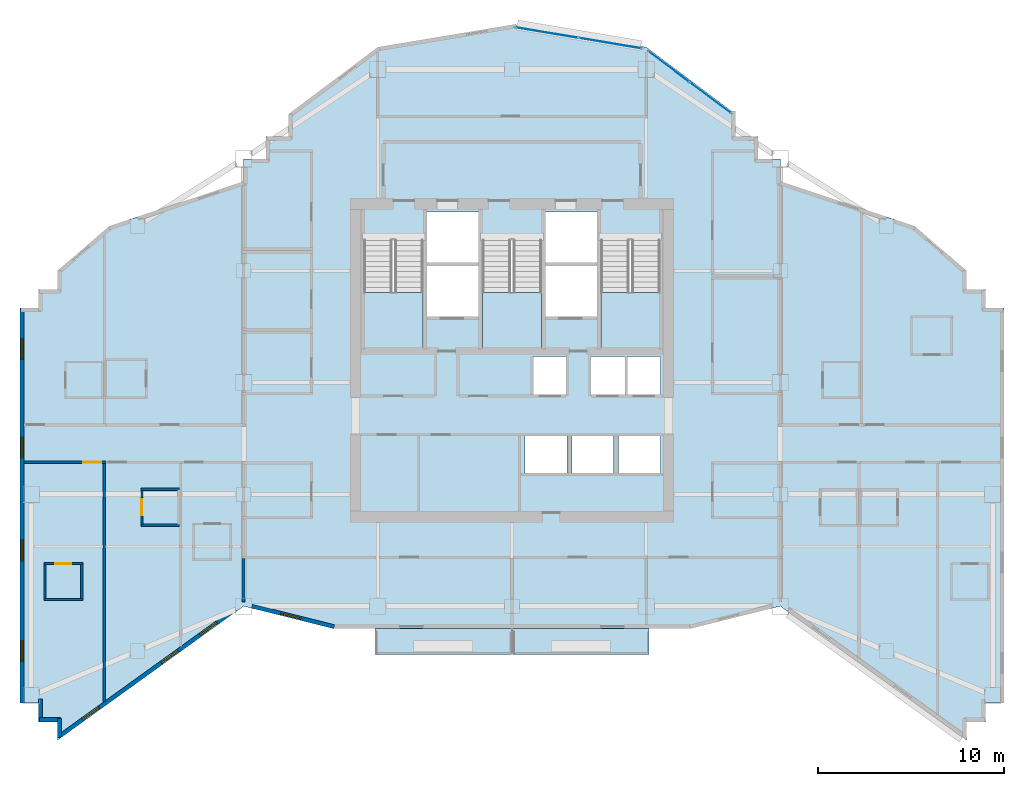
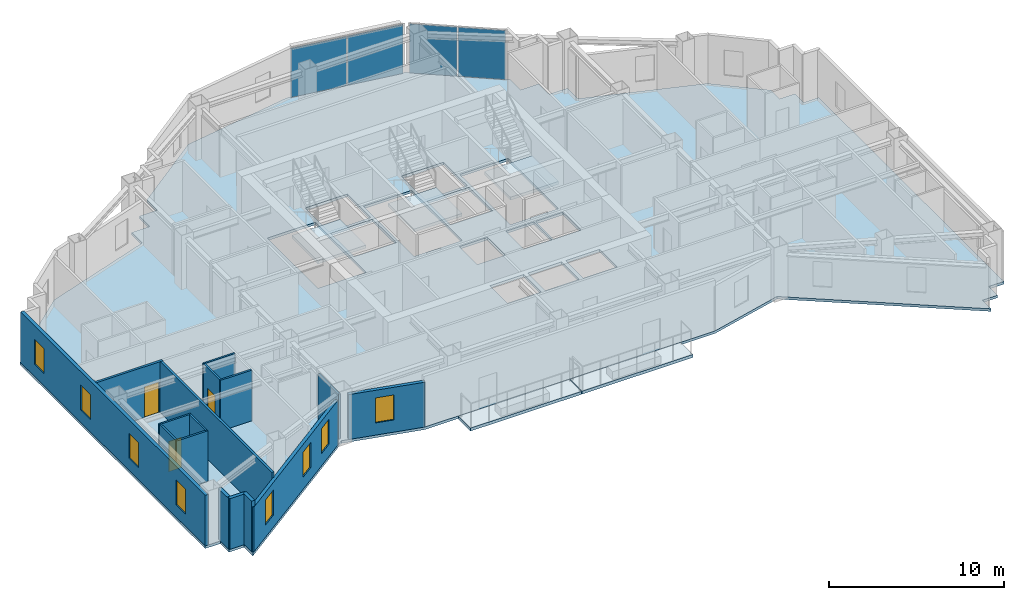
# One storey, part 4 of 12: 16 walls, 8 windows, 6 slabs, 4 plates, 3 doors, 11 openings, 5 elements without a shape of their own.
"""IFC4 building model written with IfcOpenShell, lengths in metres."""

from ifc_helpers import new_model, si_unit, direction, frame, frame_2d, origin, origin_2d, place, context, subcontext, project, spatial, polyline, rectangle, outline, extrude, material, layer, layer_set, type_object, element, fill, aggregate, save


model = new_model("IFC4")

# Units and contexts
model_context = context("Model", 3, precision=1e-05, world=origin(), true_north=direction((0.0, 1.0)))
body_context = subcontext(model_context, "Body", "Model", "MODEL_VIEW")
ifc_project = project(units=[si_unit("LENGTHUNIT", "METRE"), si_unit("AREAUNIT", "SQUARE_METRE"), si_unit("VOLUMEUNIT", "CUBIC_METRE"), si_unit("PLANEANGLEUNIT", "RADIAN"), si_unit("MASSUNIT", "GRAM", prefix="KILO")], contexts=[model_context])

# Site, building, storey
site_placement = place(None, origin())
site = spatial("IfcSite", under=ifc_project, at=site_placement, CompositionType="ELEMENT")
building_placement = place(site_placement, origin())
building = spatial("IfcBuilding", under=site, at=building_placement, Name="Haolan Belvedere Tower", CompositionType="ELEMENT")
storey_placement = place(building_placement, frame((0.0, 0.0, 203.199951171875)))
storey = spatial("IfcBuildingStorey", under=building, at=storey_placement, Name="L51", CompositionType="ELEMENT", Elevation=203.199951171875)

# Curtain wall, plates
ifc_material_1 = material(Name="Anodised champagne-silver aluminium 6063-T6 and Low-E glass", Category="aluminium")
ifc_layer_1 = layer(ifc_material_1, 0.14990234375, Name="Anodised champagne-silver aluminium 6063-T6 and Low-E glass")
ifc_layer_set_1 = layer_set([ifc_layer_1], Name="Anodised champagne-silver aluminium 6063-T6 and Low-E glass")
curtain_wall_type = type_object("IfcCurtainWallType", Name="CW-SYS-04", PredefinedType="NOTDEFINED", material=ifc_layer_set_1)
curtain_wall_1_placement = place(storey_placement, origin())
curtain_wall_1 = element("IfcCurtainWall", 1, at=curtain_wall_1_placement, inside=storey, type_object=curtain_wall_type, Name="L51 CW-SYS-04 ribbon curtain wall 20.1", PredefinedType="NOTDEFINED")
ifc_material_2 = material(Name="Double silver Low-E laminated insulating glass", Category="glass")
ifc_layer_2 = layer(ifc_material_2, 0.02392578125, Name="Double silver Low-E laminated insulating glass")
ifc_layer_set_2 = layer_set([ifc_layer_2], Name="Double silver Low-E laminated insulating glass")
plate_type = type_object("IfcPlateType", Name="CW-SYS-04-PNL", PredefinedType="CURTAIN_PANEL", material=ifc_layer_set_2)
plate_1_placement = place(storey_placement, frame((49.0390625, 48.883056640625, 0.052001953125), z_axis=(0.0, 0.0, 1.0), x_axis=(-0.799997871638, 0.600002837806, 0.0)))
plate_1 = element("IfcPlate", 2, at=plate_1_placement, type_object=plate_type, Name="CW-04 panel 1.1", PredefinedType="CURTAIN_PANEL", context=body_context, shape_type="SweptSolid", body=[
    extrude(rectangle(XDim=2.735107421875, YDim=0.02392578125, at=origin_2d()), origin(), (0.0, 0.0, 1.0), 3.43603515625),
])
plate_2_placement = place(storey_placement, frame((46.806396484375, 50.557861328125, 0.052001953125), z_axis=(0.0, 0.0, 1.0), x_axis=(-0.799997871638, 0.600002837806, 0.0)))
plate_2 = element("IfcPlate", 3, at=plate_2_placement, type_object=plate_type, Name="CW-04 panel 2.1", PredefinedType="CURTAIN_PANEL", context=body_context, shape_type="SweptSolid", body=[
    extrude(rectangle(XDim=2.735107421875, YDim=0.02392578125, at=origin_2d()), origin(), (0.0, 0.0, 1.0), 3.43603515625),
])
aggregate(curtain_wall_1, [plate_1, plate_2])

curtain_wall_2_placement = place(storey_placement, origin())
curtain_wall_2 = element("IfcCurtainWall", 4, at=curtain_wall_2_placement, inside=storey, type_object=curtain_wall_type, Name="L51 CW-SYS-04 ribbon curtain wall 21.1", PredefinedType="NOTDEFINED")
plate_3_placement = place(storey_placement, frame((43.683837890625, 51.807861328125, 0.052001953125), z_axis=(0.0, 0.0, 1.0), x_axis=(-0.98639276122, 0.164405962825, 0.0)))
plate_3 = element("IfcPlate", 5, at=plate_3_placement, type_object=plate_type, Name="CW-04 panel 1.1", PredefinedType="CURTAIN_PANEL", context=body_context, shape_type="SweptSolid", body=[
    extrude(rectangle(XDim=3.403076171875, YDim=0.02392578125, at=origin_2d()), origin(), (0.0, 0.0, 1.0), 3.43603515625),
])
plate_4_placement = place(storey_placement, frame((40.271728515625, 52.37646484375, 0.052001953125), z_axis=(0.0, 0.0, 1.0), x_axis=(-0.98639276122, 0.164405962825, 0.0)))
plate_4 = element("IfcPlate", 6, at=plate_4_placement, type_object=plate_type, Name="CW-04 panel 2.1", PredefinedType="CURTAIN_PANEL", context=body_context, shape_type="SweptSolid", body=[
    extrude(rectangle(XDim=3.403076171875, YDim=0.02392578125, at=origin_2d()), origin(), (0.0, 0.0, 1.0), 3.43603515625),
])
aggregate(curtain_wall_2, [plate_3, plate_4])

# Slabs
ifc_material_3 = material(Name="Concrete C40/50", Category="concrete")
ifc_layer_3 = layer(ifc_material_3, 0.2099609375, Name="Concrete C40/50")
ifc_layer_set_3 = layer_set([ifc_layer_3], Name="Concrete C40/50")
slab_type_1 = type_object("IfcSlabType", Name="SL-BAL-210", PredefinedType="FLOOR", material=ifc_layer_set_3)
slab_1_placement = place(storey_placement, frame((0.0, 0.0, -0.22998046875)))
element("IfcSlab", 7, at=slab_1_placement, inside=storey, type_object=slab_type_1, Name="L51 structural tree-planter balcony slab BAL-L51-S1", PredefinedType="FLOOR", context=body_context, shape_type="SweptSolid", body=[
    extrude(outline(polyline([(31.050048828125, 19.02001953125), (38.3798828125, 19.02001953125), (38.3798828125, 20.39990234375), (31.050048828125, 20.39990234375), (31.050048828125, 19.02001953125)])), origin(), (0.0, 0.0, 1.0), 0.2099609375),
])
slab_2_placement = place(storey_placement, frame((0.0, 0.0, -0.22998046875)))
element("IfcSlab", 8, at=slab_2_placement, inside=storey, type_object=slab_type_1, Name="L51 structural tree-planter balcony slab BAL-L51-S2", PredefinedType="FLOOR", context=body_context, shape_type="SweptSolid", body=[
    extrude(outline(polyline([(38.419921875, 19.02001953125), (45.75, 19.02001953125), (45.75, 20.39990234375), (38.419921875, 20.39990234375), (38.419921875, 19.02001953125)])), origin(), (0.0, 0.0, 1.0), 0.2099609375),
])
ifc_layer_4 = layer(ifc_material_3, 0.179931640625, Name="Concrete C40/50")
ifc_layer_set_4 = layer_set([ifc_layer_4], Name="Concrete C40/50")
slab_type_2 = type_object("IfcSlabType", Name="SL-FLR-180", PredefinedType="FLOOR", material=ifc_layer_set_4)
slab_3_placement = place(storey_placement, frame((0.0, 0.0, -0.179931640625)))
element("IfcSlab", 9, at=slab_3_placement, inside=storey, type_object=slab_type_2, Name="L51 structural floor slab", PredefinedType="FLOOR", context=body_context, shape_type="SweptSolid", body=[
    extrude(outline(polyline([(24.0, 21.60009765625), (28.800048828125, 20.39990234375), (48.0, 20.39990234375), (52.800048828125, 21.60009765625), (62.800048828125, 14.39990234375), (62.800048828125, 15.39990234375), (63.800048828125, 15.39990234375), (63.800048828125, 16.39990234375), (64.800048828125, 16.39990234375), (64.800048828125, 37.60009765625), (63.800048828125, 37.60009765625), (63.800048828125, 38.60009765625), (62.800048828125, 38.60009765625), (62.800048828125, 39.60009765625), (60.0, 42.0), (52.800048828125, 44.39990234375), (52.800048828125, 45.60009765625), (51.60009765625, 45.60009765625), (51.60009765625, 46.800048828125), (50.39990234375, 46.800048828125), (50.39990234375, 48.0), (45.60009765625, 51.60009765625), (38.39990234375, 52.800048828125), (31.199951171875, 51.60009765625), (26.39990234375, 48.0), (26.39990234375, 46.800048828125), (25.199951171875, 46.800048828125), (25.199951171875, 45.60009765625), (24.0, 45.60009765625), (24.0, 44.39990234375), (16.800048828125, 42.0), (14.0, 39.60009765625), (14.0, 38.60009765625), (13.0, 38.60009765625), (13.0, 37.60009765625), (12.0, 37.60009765625), (12.0, 16.800048828125), (12.0, 16.39990234375), (13.0, 16.39990234375), (13.0, 15.39990234375), (14.0, 15.39990234375), (14.0, 14.39990234375), (24.0, 21.60009765625)]), holes=[polyline([(30.449951171875, 41.22998046875), (30.449951171875, 35.449951171875), (33.6298828125, 35.449951171875), (33.6298828125, 41.22998046875), (30.449951171875, 41.22998046875)]), polyline([(36.81005859375, 41.22998046875), (36.81005859375, 35.449951171875), (39.989990234375, 35.449951171875), (39.989990234375, 41.22998046875), (36.81005859375, 41.22998046875)]), polyline([(43.169921875, 41.22998046875), (43.169921875, 35.449951171875), (46.35009765625, 35.449951171875), (46.35009765625, 41.22998046875), (43.169921875, 41.22998046875)]), polyline([(33.830078125, 40.050048828125), (36.610107421875, 40.050048828125), (36.610107421875, 42.75), (33.830078125, 42.75), (33.830078125, 40.050048828125)]), polyline([(33.830078125, 37.14990234375), (36.610107421875, 37.14990234375), (36.610107421875, 39.85009765625), (33.830078125, 39.85009765625), (33.830078125, 37.14990234375)]), polyline([(40.18994140625, 40.050048828125), (42.969970703125, 40.050048828125), (42.969970703125, 42.75), (40.18994140625, 42.75), (40.18994140625, 40.050048828125)]), polyline([(40.18994140625, 37.14990234375), (42.969970703125, 37.14990234375), (42.969970703125, 39.85009765625), (40.18994140625, 39.85009765625), (40.18994140625, 37.14990234375)]), polyline([(39.5400390625, 32.949951171875), (41.389892578125, 32.949951171875), (41.389892578125, 35.0), (39.5400390625, 35.0), (39.5400390625, 32.949951171875)]), polyline([(42.6201171875, 32.949951171875), (44.469970703125, 32.949951171875), (44.469970703125, 35.0), (42.6201171875, 35.0), (42.6201171875, 32.949951171875)]), polyline([(44.580078125, 32.949951171875), (46.3798828125, 32.949951171875), (46.3798828125, 35.0), (44.580078125, 35.0), (44.580078125, 32.949951171875)]), polyline([(39.10009765625, 28.75), (41.340087890625, 28.75), (41.340087890625, 30.75), (39.10009765625, 30.75), (39.10009765625, 28.75)]), polyline([(41.610107421875, 28.75), (43.85009765625, 28.75), (43.85009765625, 30.75), (41.610107421875, 30.75), (41.610107421875, 28.75)]), polyline([(44.1201171875, 28.75), (46.360107421875, 28.75), (46.360107421875, 30.75), (44.1201171875, 30.75), (44.1201171875, 28.75)])]), origin(), (0.0, 0.0, 1.0), 0.179931640625),
])

# Stair, slab
stair_type = type_object("IfcStairType", Name="STR-DL-22R-173", PredefinedType="HALF_TURN_STAIR", material=ifc_material_3)
stair_1_placement = place(storey_placement, origin())
stair_1 = element("IfcStair", 10, at=stair_1_placement, inside=storey, type_object=stair_type, Name="L51 Smokeproof Core Exit Stair ST1", PredefinedType="HALF_TURN_STAIR")
ifc_layer_5 = layer(ifc_material_3, 0.199951171875, Name="Concrete C40/50")
ifc_layer_set_5 = layer_set([ifc_layer_5], Name="Concrete C40/50")
slab_type_3 = type_object("IfcSlabType", Name="SL-LAND-200", PredefinedType="LANDING", material=ifc_layer_set_5)
slab_4_placement = place(storey_placement, frame((0.0, 0.0, 1.699951171875)))
slab_4 = element("IfcSlab", 11, at=slab_4_placement, type_object=slab_type_3, Name="ST1 landing 1", PredefinedType="LANDING", context=body_context, shape_type="SweptSolid", body=[
    extrude(outline(polyline([(30.449951171875, 38.429931640625), (30.449951171875, 35.449951171875), (33.6298828125, 35.449951171875), (33.6298828125, 38.429931640625), (30.449951171875, 38.429931640625)])), origin(), (0.0, 0.0, 1.0), 0.2001953125),
])
aggregate(stair_1, [slab_4])

stair_2_placement = place(storey_placement, origin())
stair_2 = element("IfcStair", 12, at=stair_2_placement, inside=storey, type_object=stair_type, Name="L51 Smokeproof Core Exit Stair ST3", PredefinedType="HALF_TURN_STAIR")
slab_5_placement = place(storey_placement, frame((0.0, 0.0, 1.699951171875)))
slab_5 = element("IfcSlab", 13, at=slab_5_placement, type_object=slab_type_3, Name="ST3 landing 1", PredefinedType="LANDING", context=body_context, shape_type="SweptSolid", body=[
    extrude(outline(polyline([(36.81005859375, 38.429931640625), (36.81005859375, 35.449951171875), (39.989990234375, 35.449951171875), (39.989990234375, 38.429931640625), (36.81005859375, 38.429931640625)])), origin(), (0.0, 0.0, 1.0), 0.2001953125),
])
aggregate(stair_2, [slab_5])

stair_3_placement = place(storey_placement, origin())
stair_3 = element("IfcStair", 14, at=stair_3_placement, inside=storey, type_object=stair_type, Name="L51 Smokeproof Core Exit Stair ST2", PredefinedType="HALF_TURN_STAIR")
slab_6_placement = place(storey_placement, frame((0.0, 0.0, 1.699951171875)))
slab_6 = element("IfcSlab", 15, at=slab_6_placement, type_object=slab_type_3, Name="ST2 landing 1", PredefinedType="LANDING", context=body_context, shape_type="SweptSolid", body=[
    extrude(outline(polyline([(43.169921875, 38.429931640625), (43.169921875, 35.449951171875), (46.35009765625, 35.449951171875), (46.35009765625, 38.429931640625), (43.169921875, 38.429931640625)])), origin(), (0.0, 0.0, 1.0), 0.2001953125),
])
aggregate(stair_3, [slab_6])

# Wall, openings, windows
ifc_material_4 = material(Name="Precast concrete C40/50", Category="concrete")
ifc_layer_6 = layer(ifc_material_4, 0.219970703125, Name="Precast concrete C40/50")
ifc_layer_set_6 = layer_set([ifc_layer_6], Name="Precast concrete C40/50")
wall_type_1 = type_object("IfcWallType", Name="WL-EXT-220", PredefinedType="SOLIDWALL", material=ifc_layer_set_6)
wall_1_placement = place(storey_placement, frame((12.110107421875, 37.544921875, 0.0), z_axis=(0.0, 0.0, 1.0), x_axis=(0.0, -1.0, 0.0)))
wall_1 = element("IfcWall", 16, at=wall_1_placement, inside=storey, type_object=wall_type_1, Name="L51 pale-metal exterior spandrel wall 35.1", PredefinedType="SOLIDWALL", context=body_context, shape_type="SweptSolid", body=[
    extrude(rectangle(XDim=21.14501953125, YDim=0.219970703125, at=frame_2d((10.572509765625, 0.0))), origin(), (0.0, 0.0, 1.0), 3.5400390625),
])
opening_1_placement = place(wall_1_placement, frame((1.60009765625, 0.0, 0.85009765625)))
opening_1 = element("IfcOpeningElement", 17, at=opening_1_placement, cuts=wall_1, Name="Opening W-03", PredefinedType="OPENING", context=body_context, shape_type="SweptSolid", body=[
    extrude(rectangle(XDim=1.10009765625, YDim=1.75, at=frame_2d((0.550048828125, 0.875))), frame((0.0, 0.119873046875, 0.0), z_axis=(0.0, -1.0, 0.0), x_axis=(1.0, 0.0, 0.0)), (0.0, 0.0, 1.0), 0.239990234375),
])
opening_2_placement = place(wall_1_placement, frame((6.889892578125, 0.0, 0.85009765625)))
opening_2 = element("IfcOpeningElement", 18, at=opening_2_placement, cuts=wall_1, Name="Opening W-03", PredefinedType="OPENING", context=body_context, shape_type="SweptSolid", body=[
    extrude(rectangle(XDim=1.10009765625, YDim=1.75, at=frame_2d((0.550048828125, 0.875))), frame((0.0, 0.119873046875, 0.0), z_axis=(0.0, -1.0, 0.0), x_axis=(1.0, 0.0, 0.0)), (0.0, 0.0, 1.0), 0.239990234375),
])
opening_3_placement = place(wall_1_placement, frame((12.39990234375, 0.0, 0.85009765625)))
opening_3 = element("IfcOpeningElement", 19, at=opening_3_placement, cuts=wall_1, Name="Opening W-03", PredefinedType="OPENING", context=body_context, shape_type="SweptSolid", body=[
    extrude(rectangle(XDim=1.10009765625, YDim=1.75, at=frame_2d((0.550048828125, 0.875))), frame((0.0, 0.119873046875, 0.0), z_axis=(0.0, -1.0, 0.0), x_axis=(1.0, 0.0, 0.0)), (0.0, 0.0, 1.0), 0.239990234375),
])
opening_4_placement = place(wall_1_placement, frame((17.800048828125, 0.0, 0.85009765625)))
opening_4 = element("IfcOpeningElement", 20, at=opening_4_placement, cuts=wall_1, Name="Opening W-03", PredefinedType="OPENING", context=body_context, shape_type="SweptSolid", body=[
    extrude(rectangle(XDim=1.10009765625, YDim=1.75, at=frame_2d((0.550048828125, 0.875))), frame((0.0, 0.119873046875, 0.0), z_axis=(0.0, -1.0, 0.0), x_axis=(1.0, 0.0, 0.0)), (0.0, 0.0, 1.0), 0.239990234375),
])
ifc_material_5 = material(Name="Anodised aluminium 6063-T6 and Low-E glass", Category="aluminium")
window_type = type_object("IfcWindowType", Name="WN-DECO-Z3", PartitioningType="SINGLE_PANEL", PredefinedType="WINDOW", material=ifc_material_5)
window_1_placement = place(opening_1_placement, origin())
window_1 = element("IfcWindow", 21, at=window_1_placement, inside=storey, type_object=window_type, Name="L51 Art Deco chevron window 1", OverallHeight=1.75, OverallWidth=1.10009765625, PartitioningType="SINGLE_PANEL", PredefinedType="WINDOW", context=body_context, shape_type="SweptSolid", body=[
    extrude(rectangle(XDim=1.10009765625, YDim=1.75, at=frame_2d((0.550048828125, 0.875))), frame((0.0, 0.030029296875, 0.0), z_axis=(0.0, -1.0, 0.0), x_axis=(1.0, 0.0, 0.0)), (0.0, 0.0, 1.0), 0.06005859375),
])
fill(opening_1, window_1)
window_2_placement = place(opening_2_placement, origin())
window_2 = element("IfcWindow", 22, at=window_2_placement, inside=storey, type_object=window_type, Name="L51 Art Deco chevron window 2", OverallHeight=1.75, OverallWidth=1.10009765625, PartitioningType="SINGLE_PANEL", PredefinedType="WINDOW", context=body_context, shape_type="SweptSolid", body=[
    extrude(rectangle(XDim=1.10009765625, YDim=1.75, at=frame_2d((0.550048828125, 0.875))), frame((0.0, 0.030029296875, 0.0), z_axis=(0.0, -1.0, 0.0), x_axis=(1.0, 0.0, 0.0)), (0.0, 0.0, 1.0), 0.06005859375),
])
fill(opening_2, window_2)
window_3_placement = place(opening_3_placement, origin())
window_3 = element("IfcWindow", 23, at=window_3_placement, inside=storey, type_object=window_type, Name="L51 Art Deco chevron window 3", OverallHeight=1.75, OverallWidth=1.10009765625, PartitioningType="SINGLE_PANEL", PredefinedType="WINDOW", context=body_context, shape_type="SweptSolid", body=[
    extrude(rectangle(XDim=1.10009765625, YDim=1.75, at=frame_2d((0.550048828125, 0.875))), frame((0.0, 0.030029296875, 0.0), z_axis=(0.0, -1.0, 0.0), x_axis=(1.0, 0.0, 0.0)), (0.0, 0.0, 1.0), 0.06005859375),
])
fill(opening_3, window_3)
window_4_placement = place(opening_4_placement, origin())
window_4 = element("IfcWindow", 24, at=window_4_placement, inside=storey, type_object=window_type, Name="L51 Art Deco chevron window 4", OverallHeight=1.75, OverallWidth=1.10009765625, PartitioningType="SINGLE_PANEL", PredefinedType="WINDOW", context=body_context, shape_type="SweptSolid", body=[
    extrude(rectangle(XDim=1.10009765625, YDim=1.75, at=frame_2d((0.550048828125, 0.875))), frame((0.0, 0.030029296875, 0.0), z_axis=(0.0, -1.0, 0.0), x_axis=(1.0, 0.0, 0.0)), (0.0, 0.0, 1.0), 0.06005859375),
])
fill(opening_4, window_4)

# Walls
wall_2_placement = place(storey_placement, frame((13.110107421875, 16.6201171875, 0.0), z_axis=(0.0, 0.0, 1.0), x_axis=(0.0, -1.0, 0.0)))
element("IfcWall", 25, at=wall_2_placement, inside=storey, type_object=wall_type_1, Name="L51 pale-metal exterior spandrel wall 37.1", PredefinedType="SOLIDWALL", context=body_context, shape_type="SweptSolid", body=[
    extrude(rectangle(XDim=1.1650390625, YDim=0.219970703125, at=frame_2d((0.58251953125, 0.0))), origin(), (0.0, 0.0, 1.0), 3.5400390625),
])
wall_3_placement = place(storey_placement, frame((13.054931640625, 15.510009765625, 0.0), z_axis=(0.0, 0.0, 1.0), x_axis=(1.0, 0.0, 0.0)))
element("IfcWall", 26, at=wall_3_placement, inside=storey, type_object=wall_type_1, Name="L51 pale-metal exterior spandrel wall 38.1", PredefinedType="SOLIDWALL", context=body_context, shape_type="SweptSolid", body=[
    extrude(rectangle(XDim=1.110107421875, YDim=0.219970703125, at=frame_2d((0.55517578125, 0.0))), origin(), (0.0, 0.0, 1.0), 3.5400390625),
])
wall_4_placement = place(storey_placement, frame((14.110107421875, 15.56494140625, 0.0), z_axis=(0.0, 0.0, 1.0), x_axis=(0.0, -1.0, 0.0)))
element("IfcWall", 27, at=wall_4_placement, inside=storey, type_object=wall_type_1, Name="L51 pale-metal exterior spandrel wall 39.1", PredefinedType="SOLIDWALL", context=body_context, shape_type="SweptSolid", body=[
    extrude(rectangle(XDim=1.005126953125, YDim=0.219970703125, at=frame_2d((0.50244140625, 0.0))), origin(), (0.0, 0.0, 1.0), 3.5400390625),
])

# Wall, openings, windows
wall_5_placement = place(storey_placement, frame((14.0654296875, 14.58251953125, 0.0), z_axis=(0.0, 0.0, 1.0), x_axis=(0.811534737332, 0.58430417601, 0.0)))
wall_5 = element("IfcWall", 28, at=wall_5_placement, inside=storey, type_object=wall_type_1, Name="L51 pale-metal exterior spandrel wall 40.1", PredefinedType="SOLIDWALL", context=body_context, shape_type="SweptSolid", body=[
    extrude(rectangle(XDim=11.697265625, YDim=0.219970703125, at=frame_2d((5.8486328125, 0.0))), origin(), (0.0, 0.0, 1.0), 3.135009765625),
])
opening_5_placement = place(wall_5_placement, frame((1.60009765625, 0.0, 0.85009765625)))
opening_5 = element("IfcOpeningElement", 29, at=opening_5_placement, cuts=wall_5, Name="Opening W-03", PredefinedType="OPENING", context=body_context, shape_type="SweptSolid", body=[
    extrude(rectangle(XDim=1.10009765625, YDim=1.75, at=frame_2d((0.550048828125, 0.875))), frame((0.0, 0.119873046875, 0.0), z_axis=(0.0, -1.0, 0.0), x_axis=(1.0, 0.0, 0.0)), (0.0, 0.0, 1.0), 0.239990234375),
])
opening_6_placement = place(wall_5_placement, frame((6.815185546875, 0.0, 0.85009765625)))
opening_6 = element("IfcOpeningElement", 30, at=opening_6_placement, cuts=wall_5, Name="Opening W-03", PredefinedType="OPENING", context=body_context, shape_type="SweptSolid", body=[
    extrude(rectangle(XDim=1.10009765625, YDim=1.75, at=frame_2d((0.550048828125, 0.875))), frame((0.0, 0.119873046875, 0.0), z_axis=(0.0, -1.0, 0.0), x_axis=(1.0, 0.0, 0.0)), (0.0, 0.0, 1.0), 0.239990234375),
])
opening_7_placement = place(wall_5_placement, frame((9.38037109375, 0.0, 0.85009765625)))
opening_7 = element("IfcOpeningElement", 31, at=opening_7_placement, cuts=wall_5, Name="Opening W-03", PredefinedType="OPENING", context=body_context, shape_type="SweptSolid", body=[
    extrude(rectangle(XDim=1.10009765625, YDim=1.75, at=frame_2d((0.550048828125, 0.875))), frame((0.0, 0.119873046875, 0.0), z_axis=(0.0, -1.0, 0.0), x_axis=(1.0, 0.0, 0.0)), (0.0, 0.0, 1.0), 0.239990234375),
])
window_5_placement = place(opening_5_placement, origin())
window_5 = element("IfcWindow", 32, at=window_5_placement, inside=storey, type_object=window_type, Name="L51 Art Deco chevron window 1", OverallHeight=1.75, OverallWidth=1.10009765625, PartitioningType="SINGLE_PANEL", PredefinedType="WINDOW", context=body_context, shape_type="SweptSolid", body=[
    extrude(rectangle(XDim=1.10009765625, YDim=1.75, at=frame_2d((0.550048828125, 0.875))), frame((0.0, 0.030029296875, 0.0), z_axis=(0.0, -1.0, 0.0), x_axis=(1.0, 0.0, 0.0)), (0.0, 0.0, 1.0), 0.06005859375),
])
fill(opening_5, window_5)
window_6_placement = place(opening_6_placement, origin())
window_6 = element("IfcWindow", 33, at=window_6_placement, inside=storey, type_object=window_type, Name="L51 Art Deco chevron window 2", OverallHeight=1.75, OverallWidth=1.10009765625, PartitioningType="SINGLE_PANEL", PredefinedType="WINDOW", context=body_context, shape_type="SweptSolid", body=[
    extrude(rectangle(XDim=1.10009765625, YDim=1.75, at=frame_2d((0.550048828125, 0.875))), frame((0.0, 0.030029296875, 0.0), z_axis=(0.0, -1.0, 0.0), x_axis=(1.0, 0.0, 0.0)), (0.0, 0.0, 1.0), 0.06005859375),
])
fill(opening_6, window_6)
window_7_placement = place(opening_7_placement, origin())
window_7 = element("IfcWindow", 34, at=window_7_placement, inside=storey, type_object=window_type, Name="L51 Art Deco guestroom window 1", OverallHeight=1.75, OverallWidth=1.10009765625, PartitioningType="SINGLE_PANEL", PredefinedType="WINDOW", context=body_context, shape_type="SweptSolid", body=[
    extrude(rectangle(XDim=1.10009765625, YDim=1.75, at=frame_2d((0.550048828125, 0.875))), frame((0.0, 0.030029296875, 0.0), z_axis=(0.0, -1.0, 0.0), x_axis=(1.0, 0.0, 0.0)), (0.0, 0.0, 1.0), 0.06005859375),
])
fill(opening_7, window_7)

# Wall, opening, window
wall_6_placement = place(storey_placement, frame((24.44189453125, 21.602783203125, 0.0), z_axis=(0.0, 0.0, 1.0), x_axis=(0.970145648609, -0.242523030833, 0.0)))
wall_6 = element("IfcWall", 35, at=wall_6_placement, inside=storey, type_object=wall_type_1, Name="L51 pale-metal exterior spandrel wall 41.1", PredefinedType="SOLIDWALL", context=body_context, shape_type="SweptSolid", body=[
    extrude(rectangle(XDim=4.561279296875, YDim=0.219970703125, at=frame_2d((2.28076171875, 0.0))), origin(), (0.0, 0.0, 1.0), 3.135009765625),
])
opening_8_placement = place(wall_6_placement, frame((1.60009765625, 0.0, 0.85009765625)))
opening_8 = element("IfcOpeningElement", 36, at=opening_8_placement, cuts=wall_6, Name="Opening W-03", PredefinedType="OPENING", context=body_context, shape_type="SweptSolid", body=[
    extrude(rectangle(XDim=1.10009765625, YDim=1.75, at=frame_2d((0.550048828125, 0.875))), frame((0.0, 0.119873046875, 0.0), z_axis=(0.0, -1.0, 0.0), x_axis=(1.0, 0.0, 0.0)), (0.0, 0.0, 1.0), 0.239990234375),
])
window_8_placement = place(opening_8_placement, origin())
window_8 = element("IfcWindow", 37, at=window_8_placement, inside=storey, type_object=window_type, Name="L51 Art Deco chevron window 1", OverallHeight=1.75, OverallWidth=1.10009765625, PartitioningType="SINGLE_PANEL", PredefinedType="WINDOW", context=body_context, shape_type="SweptSolid", body=[
    extrude(rectangle(XDim=1.10009765625, YDim=1.75, at=frame_2d((0.550048828125, 0.875))), frame((0.0, 0.030029296875, 0.0), z_axis=(0.0, -1.0, 0.0), x_axis=(1.0, 0.0, 0.0)), (0.0, 0.0, 1.0), 0.06005859375),
])
fill(opening_8, window_8)

# Wall
ifc_material_6 = material(Name="Double gypsum acoustic stud partition", Category="masonry")
ifc_layer_7 = layer(ifc_material_6, 0.14990234375, Name="Double gypsum acoustic stud partition")
ifc_layer_set_7 = layer_set([ifc_layer_7], Name="Double gypsum acoustic stud partition")
wall_type_2 = type_object("IfcWallType", Name="WL-PART-150", PredefinedType="PARTITIONING", material=ifc_layer_set_7)
wall_7_placement = place(storey_placement, frame((24.0, 21.818603515625, 0.0), z_axis=(0.0, 0.0, 1.0), x_axis=(0.0, 1.0, 0.0)))
element("IfcWall", 38, at=wall_7_placement, inside=storey, type_object=wall_type_2, Name="L51 interior partition IW-L51-KS1-W", PredefinedType="PARTITIONING", context=body_context, shape_type="SweptSolid", body=[
    extrude(rectangle(XDim=2.34130859375, YDim=0.14990234375, at=frame_2d((1.170654296875, 0.0))), origin(), (0.0, 0.0, 1.0), 3.135009765625),
])

# Wall, opening, door
wall_8_placement = place(storey_placement, frame((12.2119140625, 29.320068359375, 0.0), z_axis=(0.0, 0.0, 1.0), x_axis=(1.0, 0.0, 0.0)))
wall_8 = element("IfcWall", 39, at=wall_8_placement, inside=storey, type_object=wall_type_2, Name="L51 interior partition IW-L51-T2S1-N", PredefinedType="PARTITIONING", context=body_context, shape_type="SweptSolid", body=[
    extrude(rectangle(XDim=4.408203125, YDim=0.14990234375, at=frame_2d((2.2041015625, 0.0))), origin(), (0.0, 0.0, 1.0), 3.5400390625),
])
opening_9_placement = place(wall_8_placement, frame((4.1357421875, 0.0, 0.0), z_axis=(0.0, 0.0, 1.0), x_axis=(-1.0, 0.0, 0.0)))
opening_9 = element("IfcOpeningElement", 40, at=opening_9_placement, cuts=wall_8, Name="Opening ID-02", PredefinedType="OPENING", context=body_context, shape_type="SweptSolid", body=[
    extrude(rectangle(XDim=0.949951171875, YDim=2.14990234375, at=frame_2d((0.47509765625, 1.074951171875))), frame((0.0, 0.0849609375, 0.0), z_axis=(0.0, -1.0, 0.0), x_axis=(1.0, 0.0, 0.0)), (0.0, 0.0, 1.0), 0.169921875),
])
ifc_material_7 = material(Name="Acoustic oak veneer fire-rated timber", Category="wood")
door_type_1 = type_object("IfcDoorType", Name="DR-GUEST-950", OperationType="NOTDEFINED", PredefinedType="DOOR", material=ifc_material_7)
door_1_placement = place(opening_9_placement, origin())
door_1 = element("IfcDoor", 41, at=door_1_placement, inside=storey, type_object=door_type_1, Name="L51 door ID-L51-T2S1-ENT", OperationType="SINGLE_SWING_LEFT", OverallHeight=2.14990234375, OverallWidth=0.949951171875, PredefinedType="DOOR", context=body_context, shape_type="SweptSolid", body=[
    extrude(rectangle(XDim=0.949951171875, YDim=2.14990234375, at=frame_2d((0.47509765625, 1.074951171875))), frame((0.0, 0.02490234375, 0.0), z_axis=(0.0, -1.0, 0.0), x_axis=(1.0, 0.0, 0.0)), (0.0, 0.0, 1.0), 0.050048828125),
])
fill(opening_9, door_1)

# Wall
wall_9_placement = place(storey_placement, frame((16.52001953125, 16.4755859375, 0.0), z_axis=(0.0, 0.0, 1.0), x_axis=(0.0, 1.0, 0.0)))
element("IfcWall", 42, at=wall_9_placement, inside=storey, type_object=wall_type_2, Name="L51 interior partition IW-L51-T2S1-E", PredefinedType="PARTITIONING", context=body_context, shape_type="SweptSolid", body=[
    extrude(rectangle(XDim=12.784423828125, YDim=0.14990234375, at=frame_2d((6.39208984375, 0.0))), origin(), (0.0, 0.0, 1.0), 3.5400390625),
])

# Wall, opening, door
ifc_material_8 = material(Name="Moisture-resistant gypsum tile partition", Category="masonry")
ifc_layer_8 = layer(ifc_material_8, 0.1201171875, Name="Moisture-resistant gypsum tile partition")
ifc_layer_set_8 = layer_set([ifc_layer_8], Name="Moisture-resistant gypsum tile partition")
wall_type_3 = type_object("IfcWallType", Name="WL-WET-120", PredefinedType="PARTITIONING", material=ifc_layer_set_8)
wall_10_placement = place(storey_placement, frame((13.27490234375, 23.885009765625, 0.0), z_axis=(0.0, 0.0, 1.0), x_axis=(1.0, 0.0, 0.0)))
wall_10 = element("IfcWall", 43, at=wall_10_placement, inside=storey, type_object=wall_type_3, Name="L51 interior partition IW-L51-T2S1-BN", PredefinedType="PARTITIONING", context=body_context, shape_type="SweptSolid", body=[
    extrude(rectangle(XDim=2.10009765625, YDim=0.1201171875, at=frame_2d((1.050048828125, 0.0))), origin(), (0.0, 0.0, 1.0), 3.5400390625),
])
opening_10_placement = place(wall_10_placement, frame((1.47509765625, 0.0, 0.0), z_axis=(0.0, 0.0, 1.0), x_axis=(-1.0, 0.0, 0.0)))
opening_10 = element("IfcOpeningElement", 44, at=opening_10_placement, cuts=wall_10, Name="Opening ID-05", PredefinedType="OPENING", context=body_context, shape_type="SweptSolid", body=[
    extrude(rectangle(XDim=0.85009765625, YDim=2.10009765625, at=frame_2d((0.425048828125, 1.050048828125))), frame((0.0, 0.070068359375, 0.0), z_axis=(0.0, -1.0, 0.0), x_axis=(1.0, 0.0, 0.0)), (0.0, 0.0, 1.0), 0.14013671875),
])
ifc_material_9 = material(Name="Moisture-resistant lacquered timber", Category="wood")
door_type_2 = type_object("IfcDoorType", Name="DR-BATH-850", OperationType="NOTDEFINED", PredefinedType="DOOR", material=ifc_material_9)
door_2_placement = place(opening_10_placement, origin())
door_2 = element("IfcDoor", 45, at=door_2_placement, inside=storey, type_object=door_type_2, Name="L51 door ID-L51-T2S1-BATH", OperationType="SINGLE_SWING_RIGHT", OverallHeight=2.10009765625, OverallWidth=0.85009765625, PredefinedType="DOOR", context=body_context, shape_type="SweptSolid", body=[
    extrude(rectangle(XDim=0.85009765625, YDim=2.10009765625, at=frame_2d((0.425048828125, 1.050048828125))), frame((0.0, 0.02490234375, 0.0), z_axis=(0.0, -1.0, 0.0), x_axis=(1.0, 0.0, 0.0)), (0.0, 0.0, 1.0), 0.050048828125),
])
fill(opening_10, door_2)

# Walls
wall_11_placement = place(storey_placement, frame((13.27490234375, 21.965087890625, 0.0), z_axis=(0.0, 0.0, 1.0), x_axis=(1.0, 0.0, 0.0)))
element("IfcWall", 46, at=wall_11_placement, inside=storey, type_object=wall_type_3, Name="L51 interior partition IW-L51-T2S1-BS", PredefinedType="PARTITIONING", context=body_context, shape_type="SweptSolid", body=[
    extrude(rectangle(XDim=2.10009765625, YDim=0.1201171875, at=frame_2d((1.050048828125, 0.0))), origin(), (0.0, 0.0, 1.0), 3.5400390625),
])
for number, where, z_axis, x_axis, name in (
    (47, (13.3349609375, 22.010009765625, 0.0), (0.0, 0.0, 1.0), (0.0, 1.0, 0.0), "L51 interior partition IW-L51-T2S1-BW"),
    (48, (15.31494140625, 22.010009765625, 0.0), (0.0, 0.0, 1.0), (0.0, 1.0, 0.0), "L51 interior partition IW-L51-T2S1-BE"),
):
    element("IfcWall", number, at=place(storey_placement, frame(where, z_axis=z_axis, x_axis=x_axis)), inside=storey, type_object=wall_type_3, Name=name, PredefinedType="PARTITIONING", context=body_context, shape_type="SweptSolid", body=[
        extrude(rectangle(XDim=1.830078125, YDim=0.1201171875, at=frame_2d((0.9150390625, 0.0))), origin(), (0.0, 0.0, 1.0), 3.5400390625),
    ])
for number, where, z_axis, x_axis, name in (
    (49, (18.47998046875, 27.8701171875, 0.0), (0.0, 0.0, 1.0), (1.0, 0.0, 0.0), "L51 interior partition IW-L51-T2S2-BN"),
    (50, (18.47998046875, 25.949951171875, 0.0), (0.0, 0.0, 1.0), (1.0, 0.0, 0.0), "L51 interior partition IW-L51-T2S2-BS"),
):
    element("IfcWall", number, at=place(storey_placement, frame(where, z_axis=z_axis, x_axis=x_axis)), inside=storey, type_object=wall_type_3, Name=name, PredefinedType="PARTITIONING", context=body_context, shape_type="SweptSolid", body=[
        extrude(rectangle(XDim=2.080078125, YDim=0.1201171875, at=frame_2d((1.0400390625, 0.0))), origin(), (0.0, 0.0, 1.0), 3.5400390625),
    ])

# Wall, opening, door
wall_12_placement = place(storey_placement, frame((18.5400390625, 25.9951171875, 0.0), z_axis=(0.0, 0.0, 1.0), x_axis=(0.0, 1.0, 0.0)))
wall_12 = element("IfcWall", 51, at=wall_12_placement, inside=storey, type_object=wall_type_3, Name="L51 interior partition IW-L51-T2S2-BW", PredefinedType="PARTITIONING", context=body_context, shape_type="SweptSolid", body=[
    extrude(rectangle(XDim=1.829833984375, YDim=0.1201171875, at=frame_2d((0.9150390625, 0.0))), origin(), (0.0, 0.0, 1.0), 3.5400390625),
])
opening_11_placement = place(wall_12_placement, frame((1.340087890625, 0.0, 0.0), z_axis=(0.0, 0.0, 1.0), x_axis=(-1.0, 0.0, 0.0)))
opening_11 = element("IfcOpeningElement", 52, at=opening_11_placement, cuts=wall_12, Name="Opening ID-05", PredefinedType="OPENING", context=body_context, shape_type="SweptSolid", body=[
    extrude(rectangle(XDim=0.85009765625, YDim=2.10009765625, at=frame_2d((0.425048828125, 1.050048828125))), frame((0.0, 0.070068359375, 0.0), z_axis=(0.0, -1.0, 0.0), x_axis=(1.0, 0.0, 0.0)), (0.0, 0.0, 1.0), 0.14013671875),
])
door_3_placement = place(opening_11_placement, origin())
door_3 = element("IfcDoor", 53, at=door_3_placement, inside=storey, type_object=door_type_2, Name="L51 door ID-L51-T2S2-BATH", OperationType="SINGLE_SWING_LEFT", OverallHeight=2.10009765625, OverallWidth=0.85009765625, PredefinedType="DOOR", context=body_context, shape_type="SweptSolid", body=[
    extrude(rectangle(XDim=0.85009765625, YDim=2.10009765625, at=frame_2d((0.425048828125, 1.050048828125))), frame((0.0, 0.02490234375, 0.0), z_axis=(0.0, -1.0, 0.0), x_axis=(1.0, 0.0, 0.0)), (0.0, 0.0, 1.0), 0.050048828125),
])
fill(opening_11, door_3)

save(model, "model.ifc")
